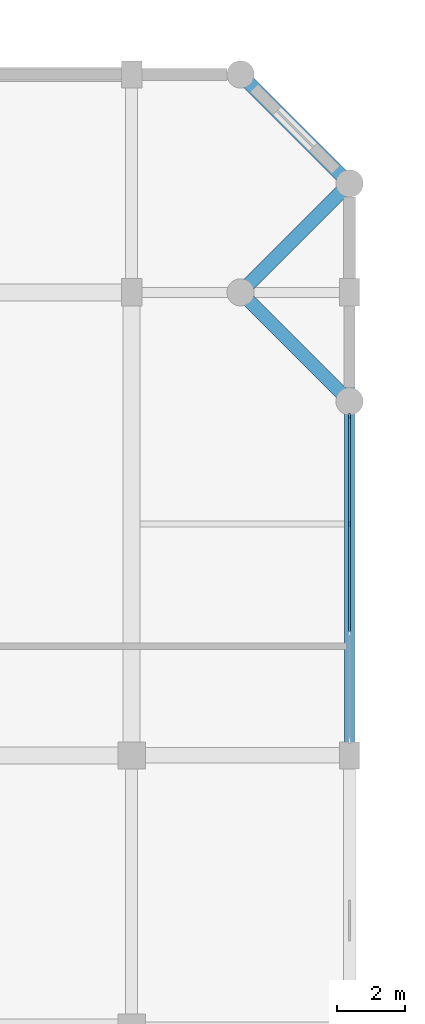
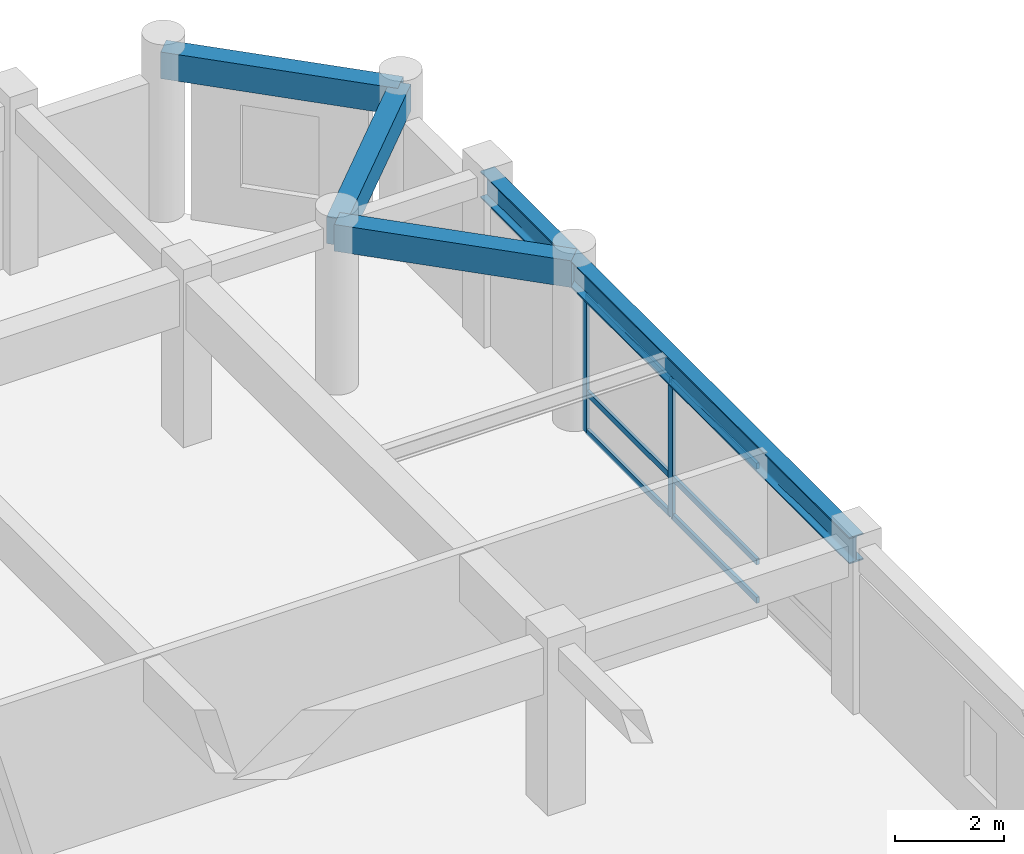
# One storey, part 13 of 20: 8 members, 4 beams, 1 element without a shape of its own.
"""IFC4 building model written with IfcOpenShell, lengths in metres."""

from ifc_helpers import new_model, si_unit, direction, frame, origin, origin_2d, place, context, subcontext, project, spatial, rectangle, i_section, extrude, material, material_profile, profile_set, type_object, element, aggregate, save


model = new_model("IFC4")

# Units and contexts
model_context = context("Model", 3, precision=1e-05, world=origin(), true_north=direction((0.0, 1.0)))
body_context = subcontext(model_context, "Body", "Model", "MODEL_VIEW")
ifc_project = project(units=[si_unit("LENGTHUNIT", "METRE"), si_unit("AREAUNIT", "SQUARE_METRE"), si_unit("VOLUMEUNIT", "CUBIC_METRE"), si_unit("PLANEANGLEUNIT", "RADIAN"), si_unit("MASSUNIT", "GRAM", prefix="KILO")], contexts=[model_context])

# Site, building, storey
site_placement = place(None, origin())
site = spatial("IfcSite", under=ifc_project, at=site_placement, CompositionType="ELEMENT")
building_placement = place(site_placement, origin())
building = spatial("IfcBuilding", under=site, at=building_placement, Name="Vellmiral Cinema and Media Centre", CompositionType="ELEMENT")
storey_placement = place(building_placement, frame((0.0, 0.0, 23.800048828125)))
storey = spatial("IfcBuildingStorey", under=building, at=storey_placement, Name="L05", CompositionType="ELEMENT", Elevation=23.800048828125)

# Curtain wall, members
ifc_material_1 = material(Name="Thermally Broken Aluminium and Triple Glazing", Category="aluminium")
curtain_wall_type = type_object("IfcCurtainWallType", Name="CW-TOWER-LOW-S", PredefinedType="USERDEFINED", material=ifc_material_1)
curtain_wall_placement = place(storey_placement, origin())
curtain_wall = element("IfcCurtainWall", 1, at=curtain_wall_placement, inside=storey, type_object=curtain_wall_type, Name="Curtain Wall L05-B014", ObjectType="UNITISED CURTAIN WALL", PredefinedType="USERDEFINED")
ifc_material_2 = material(Name="Thermally Broken Anodised Aluminium", Category="aluminium")
ifc_material_profile_1 = material_profile(ifc_material_2, rectangle(XDim=0.06494140625, YDim=0.159912109375, at=origin_2d()), Name="MULL 65x160")
ifc_profile_set_1 = profile_set([ifc_material_profile_1], Name="Thermally Broken Anodised Aluminium")
member_type_1 = type_object("IfcMemberType", Name="CWM-65x160", PredefinedType="MULLION", material=ifc_profile_set_1)
member_1_placement = place(storey_placement, frame((168.0, 102.0, 0.0), z_axis=(0.0, 0.0, 1.0), x_axis=(-1.0, 0.0, 0.0)))
member_1 = element("IfcMember", 2, at=member_1_placement, type_object=member_type_1, Name="CW-06 mullion 3", PredefinedType="MULLION", context=body_context, shape_type="SweptSolid", body=[
    extrude(rectangle(XDim=0.06494140625, YDim=0.159912109375, at=origin_2d()), origin(), (0.0, 0.0, 1.0), 3.0849609375),
])
member_2_placement = place(storey_placement, frame((168.0, 105.16748046875, 0.0), z_axis=(0.0, 0.0, 1.0), x_axis=(-1.0, 0.0, 0.0)))
member_2 = element("IfcMember", 3, at=member_2_placement, type_object=member_type_1, Name="CW-06 mullion 4", PredefinedType="MULLION", context=body_context, shape_type="SweptSolid", body=[
    extrude(rectangle(XDim=0.06494140625, YDim=0.159912109375, at=origin_2d()), origin(), (0.0, 0.0, 1.0), 3.0849609375),
])
ifc_material_3 = material(Name="Thermally Broken Anodised Aluminium", Category="aluminium")
ifc_material_profile_2 = material_profile(ifc_material_3, rectangle(XDim=0.06494140625, YDim=0.135009765625, at=origin_2d()), Name="MULL 65x135")
ifc_profile_set_2 = profile_set([ifc_material_profile_2], Name="Thermally Broken Anodised Aluminium")
member_type_2 = type_object("IfcMemberType", Name="CWT-65x135", PredefinedType="USERDEFINED", material=ifc_profile_set_2)
member_3_placement = place(storey_placement, frame((168.0, 98.83251953125, 0.032470703125), z_axis=(0.0, 1.0, 0.0), x_axis=(-1.0, 0.0, 0.0)))
member_3 = element("IfcMember", 4, at=member_3_placement, type_object=member_type_2, Name="CW-06 transom 2.1", ObjectType="TRANSOM", PredefinedType="USERDEFINED", context=body_context, shape_type="SweptSolid", body=[
    extrude(rectangle(XDim=0.06494140625, YDim=0.135009765625, at=origin_2d()), origin(), (0.0, 0.0, 1.0), 3.135009765625),
])
member_4_placement = place(storey_placement, frame((168.0, 98.83251953125, 0.89990234375), z_axis=(0.0, 1.0, 0.0), x_axis=(-1.0, 0.0, 0.0)))
member_4 = element("IfcMember", 5, at=member_4_placement, type_object=member_type_2, Name="CW-06 transom 2.2", ObjectType="TRANSOM", PredefinedType="USERDEFINED", context=body_context, shape_type="SweptSolid", body=[
    extrude(rectangle(XDim=0.06494140625, YDim=0.135009765625, at=origin_2d()), origin(), (0.0, 0.0, 1.0), 3.135009765625),
])
member_5_placement = place(storey_placement, frame((168.0, 98.83251953125, 3.052490234375), z_axis=(0.0, 1.0, 0.0), x_axis=(-1.0, 0.0, 0.0)))
member_5 = element("IfcMember", 6, at=member_5_placement, type_object=member_type_2, Name="CW-06 transom 2.3", ObjectType="TRANSOM", PredefinedType="USERDEFINED", context=body_context, shape_type="SweptSolid", body=[
    extrude(rectangle(XDim=0.06494140625, YDim=0.135009765625, at=origin_2d()), origin(), (0.0, 0.0, 1.0), 3.135009765625),
])
member_6_placement = place(storey_placement, frame((168.0, 102.032470703125, 0.032470703125), z_axis=(0.0, 1.0, 0.0), x_axis=(-1.0, 0.0, 0.0)))
member_6 = element("IfcMember", 7, at=member_6_placement, type_object=member_type_2, Name="CW-06 transom 3.1", ObjectType="TRANSOM", PredefinedType="USERDEFINED", context=body_context, shape_type="SweptSolid", body=[
    extrude(rectangle(XDim=0.06494140625, YDim=0.135009765625, at=origin_2d()), origin(), (0.0, 0.0, 1.0), 3.1025390625),
])
member_7_placement = place(storey_placement, frame((168.0, 102.032470703125, 0.89990234375), z_axis=(0.0, 1.0, 0.0), x_axis=(-1.0, 0.0, 0.0)))
member_7 = element("IfcMember", 8, at=member_7_placement, type_object=member_type_2, Name="CW-06 transom 3.2", ObjectType="TRANSOM", PredefinedType="USERDEFINED", context=body_context, shape_type="SweptSolid", body=[
    extrude(rectangle(XDim=0.06494140625, YDim=0.135009765625, at=origin_2d()), origin(), (0.0, 0.0, 1.0), 3.1025390625),
])
member_8_placement = place(storey_placement, frame((168.0, 102.032470703125, 3.052490234375), z_axis=(0.0, 1.0, 0.0), x_axis=(-1.0, 0.0, 0.0)))
member_8 = element("IfcMember", 9, at=member_8_placement, type_object=member_type_2, Name="CW-06 transom 3.3", ObjectType="TRANSOM", PredefinedType="USERDEFINED", context=body_context, shape_type="SweptSolid", body=[
    extrude(rectangle(XDim=0.06494140625, YDim=0.135009765625, at=origin_2d()), origin(), (0.0, 0.0, 1.0), 3.1025390625),
])
aggregate(curtain_wall, [member_1, member_2, member_3, member_4, member_5, member_6, member_7, member_8])

# Beams
ifc_material_4 = material(Name="Steel S355", Category="steel")
ifc_material_profile_3 = material_profile(ifc_material_4, i_section(OverallWidth=0.300048828125, OverallDepth=0.60009765625, WebThickness=0.015380859375, FlangeThickness=0.030029296875, FilletRadius=0.027099609375, at=origin_2d()), Name="HEB 600")
ifc_profile_set_3 = profile_set([ifc_material_profile_3], Name="Steel S355")
beam_type_1 = type_object("IfcBeamType", Name="SBM-HEB600-SPD", PredefinedType="SPANDREL", material=ifc_profile_set_3)
beam_placement = place(storey_placement, frame((168.0, 95.199951171875, 3.39501953125), z_axis=(0.0, 1.0, 0.0), x_axis=(-1.0, 0.0, 0.0)))
element("IfcBeam", 10, at=beam_placement, inside=storey, type_object=beam_type_1, Name="Grid Beam L05-Y104", PredefinedType="SPANDREL", context=body_context, shape_type="SweptSolid", body=[
    extrude(i_section(OverallWidth=0.300048828125, OverallDepth=0.60009765625, WebThickness=0.015380859375, FlangeThickness=0.030029296875, FilletRadius=0.027099609375, at=origin_2d()), origin(), (0.0, 0.0, 1.0), 13.60009765625),
])
ifc_material_5 = material(Name="Concrete C40/50", Category="concrete")
ifc_material_profile_4 = material_profile(ifc_material_5, rectangle(XDim=0.39990234375, YDim=0.60009765625, at=origin_2d()), Name="RC 400x600")
ifc_profile_set_4 = profile_set([ifc_material_profile_4], Name="Concrete C40/50")
beam_type_2 = type_object("IfcBeamType", Name="SPD-RC-400x600", PredefinedType="SPANDREL", material=ifc_profile_set_4)
for number, where, z_axis, x_axis, name in (
    (11, (164.800048828125, 108.800048828125, 3.39501953125), (0.707106781187, -0.707106781187, 0.0), (0.707106781187, 0.707106781187, 0.0), "Xamfra Chamfer Spandrel Beam L05-108"),
    (12, (164.800048828125, 108.800048828125, 3.39501953125), (0.707106781187, 0.707106781187, 0.0), (-0.707106781187, 0.707106781187, 0.0), "Xamfra Chamfer Spandrel Beam L05-109"),
    (13, (164.800048828125, 115.199951171875, 3.39501953125), (0.707106781187, -0.707106781187, 0.0), (0.707106781187, 0.707106781187, 0.0), "Xamfra Chamfer Spandrel Beam L05-110"),
):
    element("IfcBeam", number, at=place(storey_placement, frame(where, z_axis=z_axis, x_axis=x_axis)), inside=storey, type_object=beam_type_2, Name=name, PredefinedType="SPANDREL", context=body_context, shape_type="SweptSolid", body=[
        extrude(rectangle(XDim=0.39990234375, YDim=0.60009765625, at=origin_2d()), origin(), (0.0, 0.0, 1.0), 4.525390625),
    ])

save(model, "model.ifc")
